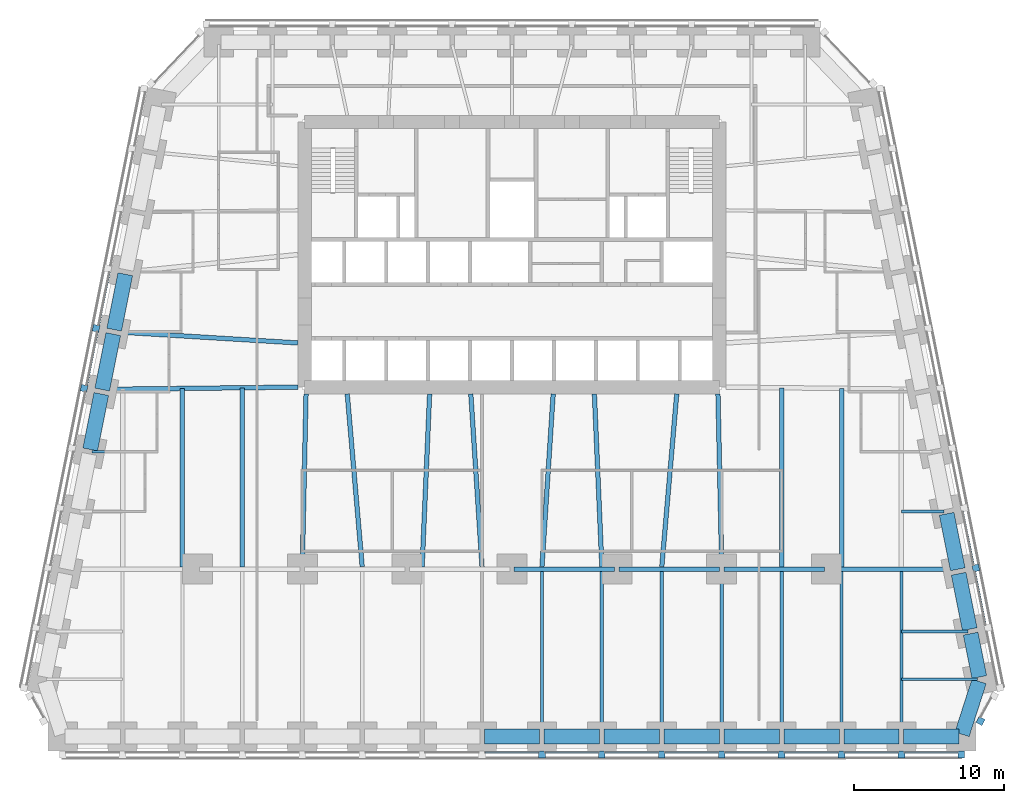
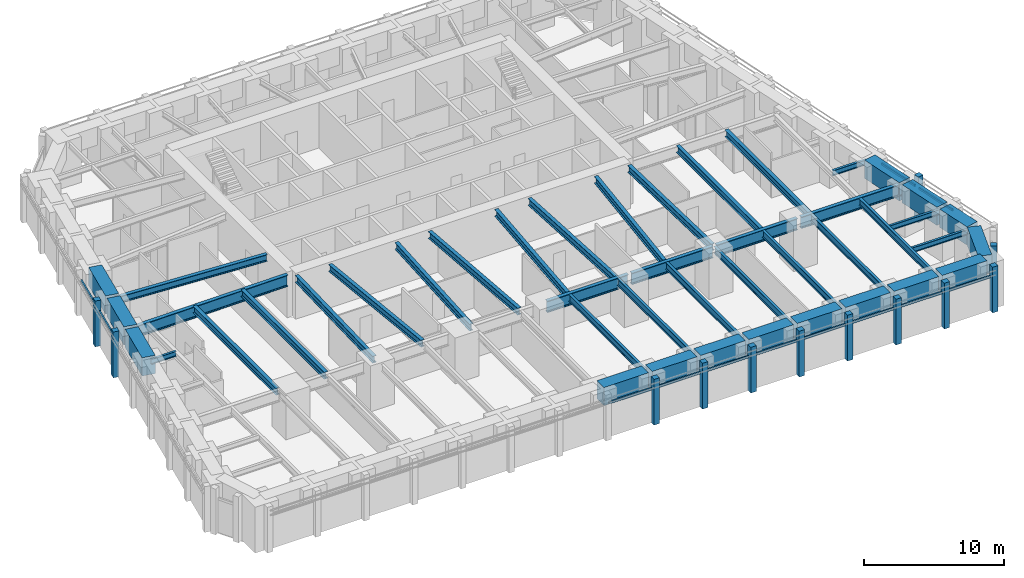
# One storey, part 2 of 10: 44 beams, 24 members, 4 elements without a shape of their own.
"""IFC4 building model written with IfcOpenShell, lengths in metres."""

from ifc_helpers import new_model, si_unit, direction, frame, origin, origin_2d, place, context, subcontext, project, spatial, rectangle, i_section, extrude, material, material_profile, profile_set, type_object, element, aggregate, save


model = new_model("IFC4")

# Units and contexts
model_context = context("Model", 3, precision=1e-05, world=origin(), true_north=direction((0.0, 1.0)))
body_context = subcontext(model_context, "Body", "Model", "MODEL_VIEW")
ifc_project = project(units=[si_unit("LENGTHUNIT", "METRE"), si_unit("AREAUNIT", "SQUARE_METRE"), si_unit("VOLUMEUNIT", "CUBIC_METRE"), si_unit("PLANEANGLEUNIT", "RADIAN"), si_unit("MASSUNIT", "GRAM", prefix="KILO")], contexts=[model_context])

# Site, building, storey
site_placement = place(None, origin())
site = spatial("IfcSite", under=ifc_project, at=site_placement, CompositionType="ELEMENT")
building_placement = place(site_placement, origin())
building = spatial("IfcBuilding", under=site, at=building_placement, Name="Isbrekke Arena Tower", CompositionType="ELEMENT")
storey_placement = place(building_placement, frame((0.0, 0.0, 64.0)))
storey = spatial("IfcBuildingStorey", under=building, at=storey_placement, Name="L13", CompositionType="ELEMENT", Elevation=64.0)

# Beams
ifc_material_1 = material(Name="Steel S355", Category="steel")
ifc_material_profile_1 = material_profile(ifc_material_1, i_section(OverallWidth=0.219970703125, OverallDepth=0.60009765625, WebThickness=0.011962890625, FlangeThickness=0.01904296875, FilletRadius=0.02392578125, at=origin_2d()), Name="IPE 600")
ifc_profile_set_1 = profile_set([ifc_material_profile_1], Name="Steel S355")
beam_type_1 = type_object("IfcBeamType", Name="B1 IPE 600", PredefinedType="BEAM", material=ifc_profile_set_1)
for number, where, z_axis, x_axis, name in (
    (1, (2.0, -17.02490234375, 3.550048828125), (0.0, 1.0, 0.0), (-1.0, 0.0, 0.0), "B1 beam S-S09 L13"),
    (2, (6.0, -17.02490234375, 3.550048828125), (0.0, 1.0, 0.0), (-1.0, 0.0, 0.0), "B1 beam S-S10 L13"),
    (3, (10.0, -17.02490234375, 3.550048828125), (0.0, 1.0, 0.0), (-1.0, 0.0, 0.0), "B1 beam S-S11 L13"),
):
    element("IfcBeam", number, at=place(storey_placement, frame(where, z_axis=z_axis, x_axis=x_axis)), inside=storey, type_object=beam_type_1, Name=name, PredefinedType="BEAM", context=body_context, shape_type="SweptSolid", body=[
        extrude(i_section(OverallWidth=0.219970703125, OverallDepth=0.60009765625, WebThickness=0.011962890625, FlangeThickness=0.01904296875, FilletRadius=0.02392578125, at=origin_2d()), origin(), (0.0, 0.0, 1.0), 10.8740234375),
    ])
beam_1_placement = place(storey_placement, frame((14.0, -17.02490234375, 3.550048828125), z_axis=(0.0, 1.0, 0.0), x_axis=(-1.0, 0.0, 0.0)))
element("IfcBeam", 4, at=beam_1_placement, inside=storey, type_object=beam_type_1, Name="B1 beam S-S12 L13", PredefinedType="BEAM", context=body_context, shape_type="SweptSolid", body=[
    extrude(i_section(OverallWidth=0.219970703125, OverallDepth=0.60009765625, WebThickness=0.011962890625, FlangeThickness=0.01904296875, FilletRadius=0.02392578125, at=origin_2d()), origin(), (0.0, 0.0, 1.0), 10.875),
])
for number, where, z_axis, x_axis, name in (
    (5, (18.0, -17.02490234375, 3.550048828125), (0.0, 1.0, 0.0), (-1.0, 0.0, 0.0), "B1 beam S-S13 L13"),
    (6, (22.0, -17.02490234375, 3.550048828125), (0.0, 1.0, 0.0), (-1.0, 0.0, 0.0), "B1 beam S-S14 L13"),
    (7, (26.0, -17.02490234375, 3.550048828125), (0.0, 1.0, 0.0), (-1.0, 0.0, 0.0), "B1 beam S-S15 L13"),
):
    element("IfcBeam", number, at=place(storey_placement, frame(where, z_axis=z_axis, x_axis=x_axis)), inside=storey, type_object=beam_type_1, Name=name, PredefinedType="BEAM", context=body_context, shape_type="SweptSolid", body=[
        extrude(i_section(OverallWidth=0.219970703125, OverallDepth=0.60009765625, WebThickness=0.011962890625, FlangeThickness=0.01904296875, FilletRadius=0.02392578125, at=origin_2d()), origin(), (0.0, 0.0, 1.0), 10.8740234375),
    ])
ifc_material_2 = material(Name="Steel S355", Category="steel")
ifc_material_profile_2 = material_profile(ifc_material_2, i_section(OverallWidth=0.18994140625, OverallDepth=0.449951171875, WebThickness=0.009521484375, FlangeThickness=0.0146484375, FilletRadius=0.02099609375, at=origin_2d()), Name="IPE 450")
ifc_profile_set_2 = profile_set([ifc_material_profile_2], Name="Steel S355")
beam_type_2 = type_object("IfcBeamType", Name="B2 IPE 450", PredefinedType="BEAM", material=ifc_profile_set_2)
beam_2_placement = place(storey_placement, frame((31.079345703125, -13.352783203125, 3.625), z_axis=(-1.0, 0.0, 0.0), x_axis=(0.0, -1.0, 0.0)))
element("IfcBeam", 8, at=beam_2_placement, inside=storey, type_object=beam_type_2, Name="B2 beam E-E01 L13", PredefinedType="BEAM", context=body_context, shape_type="SweptSolid", body=[
    extrude(i_section(OverallWidth=0.18994140625, OverallDepth=0.449951171875, WebThickness=0.009521484375, FlangeThickness=0.0146484375, FilletRadius=0.02099609375, at=origin_2d()), origin(), (0.0, 0.0, 1.0), 5.079345703125),
])
beam_3_placement = place(storey_placement, frame((30.44091796875, -10.161865234375, 3.625), z_axis=(-1.0, 0.0, 0.0), x_axis=(0.0, -1.0, 0.0)))
element("IfcBeam", 9, at=beam_3_placement, inside=storey, type_object=beam_type_2, Name="B2 beam E-E02 L13", PredefinedType="BEAM", context=body_context, shape_type="SweptSolid", body=[
    extrude(i_section(OverallWidth=0.18994140625, OverallDepth=0.449951171875, WebThickness=0.009521484375, FlangeThickness=0.0146484375, FilletRadius=0.02099609375, at=origin_2d()), origin(), (0.0, 0.0, 1.0), 4.44091796875),
])
beam_4_placement = place(storey_placement, frame((28.841064453125, -2.161865234375, 3.625), z_axis=(-1.0, 0.0, 0.0), x_axis=(0.0, -1.0, 0.0)))
element("IfcBeam", 10, at=beam_4_placement, inside=storey, type_object=beam_type_2, Name="B2 beam E-E04 L13", PredefinedType="BEAM", context=body_context, shape_type="SweptSolid", body=[
    extrude(i_section(OverallWidth=0.18994140625, OverallDepth=0.449951171875, WebThickness=0.009521484375, FlangeThickness=0.0146484375, FilletRadius=0.02099609375, at=origin_2d()), origin(), (0.0, 0.0, 1.0), 2.841064453125),
])
beam_5_placement = place(storey_placement, frame((-28.041015625, 1.838134765625, 3.625), z_axis=(1.0, 0.0, 0.0), x_axis=(0.0, 1.0, 0.0)))
element("IfcBeam", 11, at=beam_5_placement, inside=storey, type_object=beam_type_2, Name="B2 beam E-W07 L13", PredefinedType="BEAM", context=body_context, shape_type="SweptSolid", body=[
    extrude(i_section(OverallWidth=0.18994140625, OverallDepth=0.449951171875, WebThickness=0.009521484375, FlangeThickness=0.0146484375, FilletRadius=0.02099609375, at=origin_2d()), origin(), (0.0, 0.0, 1.0), 2.041015625),
])
ifc_material_3 = material(Name="Steel S355", Category="steel")
ifc_material_profile_3 = material_profile(ifc_material_3, i_section(OverallWidth=0.300048828125, OverallDepth=0.60009765625, WebThickness=0.015380859375, FlangeThickness=0.030029296875, FilletRadius=0.027099609375, at=origin_2d()), Name="HEB 600")
ifc_profile_set_3 = profile_set([ifc_material_profile_3], Name="Steel S355")
beam_type_3 = type_object("IfcBeamType", Name="B7 HEB 600", PredefinedType="BEAM", material=ifc_profile_set_3)
beam_6_placement = place(storey_placement, frame((-22.0, -5.84912109375, 3.550048828125), z_axis=(0.0, 1.0, 0.0), x_axis=(-1.0, 0.0, 0.0)))
element("IfcBeam", 12, at=beam_6_placement, inside=storey, type_object=beam_type_3, Name="B7 beam C-M02 L13", PredefinedType="BEAM", context=body_context, shape_type="SweptSolid", body=[
    extrude(i_section(OverallWidth=0.300048828125, OverallDepth=0.60009765625, WebThickness=0.015380859375, FlangeThickness=0.030029296875, FilletRadius=0.027099609375, at=origin_2d()), origin(), (0.0, 0.0, 1.0), 11.910888671875),
])
beam_7_placement = place(storey_placement, frame((-18.0, -5.84912109375, 3.550048828125), z_axis=(0.0, 1.0, 0.0), x_axis=(-1.0, 0.0, 0.0)))
element("IfcBeam", 13, at=beam_7_placement, inside=storey, type_object=beam_type_3, Name="B7 beam C-M03 L13", PredefinedType="BEAM", context=body_context, shape_type="SweptSolid", body=[
    extrude(i_section(OverallWidth=0.300048828125, OverallDepth=0.60009765625, WebThickness=0.015380859375, FlangeThickness=0.030029296875, FilletRadius=0.027099609375, at=origin_2d()), origin(), (0.0, 0.0, 1.0), 11.956787109375),
])
beam_8_placement = place(storey_placement, frame((-14.0, -5.8466796875, 3.550048828125), z_axis=(0.021646264273, 0.999765692171, 0.0), x_axis=(-0.999765692171, 0.021646264273, 0.0)))
element("IfcBeam", 14, at=beam_8_placement, inside=storey, type_object=beam_type_3, Name="B7 beam C-M04 L13", PredefinedType="BEAM", context=body_context, shape_type="SweptSolid", body=[
    extrude(i_section(OverallWidth=0.300048828125, OverallDepth=0.60009765625, WebThickness=0.015380859375, FlangeThickness=0.030029296875, FilletRadius=0.027099609375, at=origin_2d()), origin(), (0.0, 0.0, 1.0), 11.54931640625),
])
beam_9_placement = place(storey_placement, frame((-10.001220703125, -5.836181640625, 3.550048828125), z_axis=(-0.086255671377, 0.996273034442, 0.0), x_axis=(-0.996273034442, -0.086255671377, 0.0)))
element("IfcBeam", 15, at=beam_9_placement, inside=storey, type_object=beam_type_3, Name="B7 beam C-M05 L13", PredefinedType="BEAM", context=body_context, shape_type="SweptSolid", body=[
    extrude(i_section(OverallWidth=0.300048828125, OverallDepth=0.60009765625, WebThickness=0.015380859375, FlangeThickness=0.030029296875, FilletRadius=0.027099609375, at=origin_2d()), origin(), (0.0, 0.0, 1.0), 11.579345703125),
])
beam_10_placement = place(storey_placement, frame((-5.999755859375, -5.842529296875, 3.550048828125), z_axis=(0.04325656756, 0.99906399663, 0.0), x_axis=(-0.99906399663, 0.04325656756, 0.0)))
element("IfcBeam", 16, at=beam_10_placement, inside=storey, type_object=beam_type_3, Name="B7 beam C-M06 L13", PredefinedType="BEAM", context=body_context, shape_type="SweptSolid", body=[
    extrude(i_section(OverallWidth=0.300048828125, OverallDepth=0.60009765625, WebThickness=0.015380859375, FlangeThickness=0.030029296875, FilletRadius=0.027099609375, at=origin_2d()), origin(), (0.0, 0.0, 1.0), 11.55322265625),
])
for number, where, z_axis, x_axis, name in (
    (17, (-2.000732421875, -5.83935546875, 3.550048828125), (-0.064795318476, 0.997898575359, 0.0), (-0.997898575359, -0.064795318476, 0.0), "B7 beam C-M07 L13"),
    (18, (2.000732421875, -5.83935546875, 3.550048828125), (0.064795318476, 0.997898575359, 0.0), (-0.997898575359, 0.064795318476, 0.0), "B7 beam C-M08 L13"),
):
    element("IfcBeam", number, at=place(storey_placement, frame(where, z_axis=z_axis, x_axis=x_axis)), inside=storey, type_object=beam_type_3, Name=name, PredefinedType="BEAM", context=body_context, shape_type="SweptSolid", body=[
        extrude(i_section(OverallWidth=0.300048828125, OverallDepth=0.60009765625, WebThickness=0.015380859375, FlangeThickness=0.030029296875, FilletRadius=0.027099609375, at=origin_2d()), origin(), (0.0, 0.0, 1.0), 11.563720703125),
    ])
beam_11_placement = place(storey_placement, frame((5.999755859375, -5.842529296875, 3.550048828125), z_axis=(-0.04325656756, 0.99906399663, 0.0), x_axis=(-0.99906399663, -0.04325656756, 0.0)))
element("IfcBeam", 19, at=beam_11_placement, inside=storey, type_object=beam_type_3, Name="B7 beam C-M09 L13", PredefinedType="BEAM", context=body_context, shape_type="SweptSolid", body=[
    extrude(i_section(OverallWidth=0.300048828125, OverallDepth=0.60009765625, WebThickness=0.015380859375, FlangeThickness=0.030029296875, FilletRadius=0.027099609375, at=origin_2d()), origin(), (0.0, 0.0, 1.0), 11.55322265625),
])
beam_12_placement = place(storey_placement, frame((10.001220703125, -5.836181640625, 3.550048828125), z_axis=(0.086255671377, 0.996273034442, 0.0), x_axis=(-0.996273034442, 0.086255671377, 0.0)))
element("IfcBeam", 20, at=beam_12_placement, inside=storey, type_object=beam_type_3, Name="B7 beam C-M10 L13", PredefinedType="BEAM", context=body_context, shape_type="SweptSolid", body=[
    extrude(i_section(OverallWidth=0.300048828125, OverallDepth=0.60009765625, WebThickness=0.015380859375, FlangeThickness=0.030029296875, FilletRadius=0.027099609375, at=origin_2d()), origin(), (0.0, 0.0, 1.0), 11.579345703125),
])
beam_13_placement = place(storey_placement, frame((14.0, -5.8466796875, 3.550048828125), z_axis=(-0.021646264273, 0.999765692171, 0.0), x_axis=(-0.999765692171, -0.021646264273, 0.0)))
element("IfcBeam", 21, at=beam_13_placement, inside=storey, type_object=beam_type_3, Name="B7 beam C-M11 L13", PredefinedType="BEAM", context=body_context, shape_type="SweptSolid", body=[
    extrude(i_section(OverallWidth=0.300048828125, OverallDepth=0.60009765625, WebThickness=0.015380859375, FlangeThickness=0.030029296875, FilletRadius=0.027099609375, at=origin_2d()), origin(), (0.0, 0.0, 1.0), 11.54931640625),
])
beam_14_placement = place(storey_placement, frame((18.0, -5.84912109375, 3.550048828125), z_axis=(0.0, 1.0, 0.0), x_axis=(-1.0, 0.0, 0.0)))
element("IfcBeam", 22, at=beam_14_placement, inside=storey, type_object=beam_type_3, Name="B7 beam C-M12 L13", PredefinedType="BEAM", context=body_context, shape_type="SweptSolid", body=[
    extrude(i_section(OverallWidth=0.300048828125, OverallDepth=0.60009765625, WebThickness=0.015380859375, FlangeThickness=0.030029296875, FilletRadius=0.027099609375, at=origin_2d()), origin(), (0.0, 0.0, 1.0), 11.956787109375),
])
beam_15_placement = place(storey_placement, frame((22.0, -5.84912109375, 3.550048828125), z_axis=(0.0, 1.0, 0.0), x_axis=(-1.0, 0.0, 0.0)))
element("IfcBeam", 23, at=beam_15_placement, inside=storey, type_object=beam_type_3, Name="B7 beam C-M13 L13", PredefinedType="BEAM", context=body_context, shape_type="SweptSolid", body=[
    extrude(i_section(OverallWidth=0.300048828125, OverallDepth=0.60009765625, WebThickness=0.015380859375, FlangeThickness=0.030029296875, FilletRadius=0.027099609375, at=origin_2d()), origin(), (0.0, 0.0, 1.0), 11.910888671875),
])
beam_16_placement = place(storey_placement, frame((-26.431884765625, 9.837646484375, 3.550048828125), z_axis=(0.998157121592, -0.060682457223, 0.0), x_axis=(0.060682457223, 0.998157121592, 0.0)))
element("IfcBeam", 24, at=beam_16_placement, inside=storey, type_object=beam_type_3, Name="B7 beam E-W05 L13", PredefinedType="BEAM", context=body_context, shape_type="SweptSolid", body=[
    extrude(i_section(OverallWidth=0.300048828125, OverallDepth=0.60009765625, WebThickness=0.015380859375, FlangeThickness=0.030029296875, FilletRadius=0.027099609375, at=origin_2d()), origin(), (0.0, 0.0, 1.0), 12.154296875),
])

# Curtain wall, members
ifc_material_4 = material(Name="Glazed aluminium curtain wall", Category="aluminium")
curtain_wall_type = type_object("IfcCurtainWallType", Name="CWL TOWER CURTAIN WALL LOW ZONE", PredefinedType="USERDEFINED", material=ifc_material_4)
curtain_wall_1_placement = place(storey_placement, origin())
curtain_wall_1 = element("IfcCurtainWall", 25, at=curtain_wall_1_placement, inside=storey, type_object=curtain_wall_type, Name="CWL curtain wall L13-S", ObjectType="TOWER CURTAIN WALL LOW ZONE", PredefinedType="USERDEFINED")
ifc_material_5 = material(Name="Aluminium mullion, pale brick slip cladding", Category="masonry")
ifc_material_profile_4 = material_profile(ifc_material_5, rectangle(XDim=0.449951171875, YDim=0.449951171875, at=origin_2d()), Name="PIER 450X450")
ifc_profile_set_4 = profile_set([ifc_material_profile_4], Name="Aluminium mullion, pale brick slip cladding")
member_type_1 = type_object("IfcMemberType", Name="CWL-M PIER MULLION 450 x 450", PredefinedType="MULLION", material=ifc_profile_set_4)
member_1_placement = place(storey_placement, frame((2.0, -18.375, 0.0), z_axis=(0.0, 0.0, 1.0), x_axis=(1.0, 0.0, 0.0)))
member_1 = element("IfcMember", 26, at=member_1_placement, type_object=member_type_1, Name="CWL-M mullion 9", PredefinedType="MULLION", context=body_context, shape_type="SweptSolid", body=[
    extrude(rectangle(XDim=0.449951171875, YDim=0.449951171875, at=origin_2d()), origin(), (0.0, 0.0, 1.0), 4.0),
])
member_2_placement = place(storey_placement, frame((6.0, -18.375, 0.0), z_axis=(0.0, 0.0, 1.0), x_axis=(1.0, 0.0, 0.0)))
member_2 = element("IfcMember", 27, at=member_2_placement, type_object=member_type_1, Name="CWL-M mullion 10", PredefinedType="MULLION", context=body_context, shape_type="SweptSolid", body=[
    extrude(rectangle(XDim=0.449951171875, YDim=0.449951171875, at=origin_2d()), origin(), (0.0, 0.0, 1.0), 4.0),
])
member_3_placement = place(storey_placement, frame((10.0, -18.375, 0.0), z_axis=(0.0, 0.0, 1.0), x_axis=(1.0, 0.0, 0.0)))
member_3 = element("IfcMember", 28, at=member_3_placement, type_object=member_type_1, Name="CWL-M mullion 11", PredefinedType="MULLION", context=body_context, shape_type="SweptSolid", body=[
    extrude(rectangle(XDim=0.449951171875, YDim=0.449951171875, at=origin_2d()), origin(), (0.0, 0.0, 1.0), 4.0),
])
member_4_placement = place(storey_placement, frame((14.0, -18.375, 0.0), z_axis=(0.0, 0.0, 1.0), x_axis=(1.0, 0.0, 0.0)))
member_4 = element("IfcMember", 29, at=member_4_placement, type_object=member_type_1, Name="CWL-M mullion 12", PredefinedType="MULLION", context=body_context, shape_type="SweptSolid", body=[
    extrude(rectangle(XDim=0.449951171875, YDim=0.449951171875, at=origin_2d()), origin(), (0.0, 0.0, 1.0), 4.0),
])
member_5_placement = place(storey_placement, frame((18.0, -18.375, 0.0), z_axis=(0.0, 0.0, 1.0), x_axis=(1.0, 0.0, 0.0)))
member_5 = element("IfcMember", 30, at=member_5_placement, type_object=member_type_1, Name="CWL-M mullion 13", PredefinedType="MULLION", context=body_context, shape_type="SweptSolid", body=[
    extrude(rectangle(XDim=0.449951171875, YDim=0.449951171875, at=origin_2d()), origin(), (0.0, 0.0, 1.0), 4.0),
])
member_6_placement = place(storey_placement, frame((22.0, -18.375, 0.0), z_axis=(0.0, 0.0, 1.0), x_axis=(1.0, 0.0, 0.0)))
member_6 = element("IfcMember", 31, at=member_6_placement, type_object=member_type_1, Name="CWL-M mullion 14", PredefinedType="MULLION", context=body_context, shape_type="SweptSolid", body=[
    extrude(rectangle(XDim=0.449951171875, YDim=0.449951171875, at=origin_2d()), origin(), (0.0, 0.0, 1.0), 4.0),
])
member_7_placement = place(storey_placement, frame((26.0, -18.375, 0.0), z_axis=(0.0, 0.0, 1.0), x_axis=(1.0, 0.0, 0.0)))
member_7 = element("IfcMember", 32, at=member_7_placement, type_object=member_type_1, Name="CWL-M mullion 15", PredefinedType="MULLION", context=body_context, shape_type="SweptSolid", body=[
    extrude(rectangle(XDim=0.449951171875, YDim=0.449951171875, at=origin_2d()), origin(), (0.0, 0.0, 1.0), 4.0),
])
member_8_placement = place(storey_placement, frame((30.0, -18.375, 0.0), z_axis=(0.0, 0.0, 1.0), x_axis=(1.0, 0.0, 0.0)))
member_8 = element("IfcMember", 33, at=member_8_placement, type_object=member_type_1, Name="CWL-M mullion 16", PredefinedType="MULLION", context=body_context, shape_type="SweptSolid", body=[
    extrude(rectangle(XDim=0.449951171875, YDim=0.449951171875, at=origin_2d()), origin(), (0.0, 0.0, 1.0), 4.0),
])

# Curtain wall, member
curtain_wall_2_placement = place(storey_placement, origin())
curtain_wall_2 = element("IfcCurtainWall", 34, at=curtain_wall_2_placement, inside=storey, type_object=curtain_wall_type, Name="CWL curtain wall L13-SE", ObjectType="TOWER CURTAIN WALL LOW ZONE", PredefinedType="USERDEFINED")
member_9_placement = place(storey_placement, frame((31.2783203125, -16.142822265625, 0.0), z_axis=(0.0, 0.0, 1.0), x_axis=(0.481918749773, 0.876215908676, 0.0)))
member_9 = element("IfcMember", 35, at=member_9_placement, type_object=member_type_1, Name="CWL-M mullion 1", PredefinedType="MULLION", context=body_context, shape_type="SweptSolid", body=[
    extrude(rectangle(XDim=0.449951171875, YDim=0.449951171875, at=origin_2d()), origin(), (0.0, 0.0, 1.0), 4.0),
])
aggregate(curtain_wall_2, [member_9])

curtain_wall_3_placement = place(storey_placement, origin())
curtain_wall_3 = element("IfcCurtainWall", 36, at=curtain_wall_3_placement, inside=storey, type_object=curtain_wall_type, Name="CWL curtain wall L13-E", ObjectType="TOWER CURTAIN WALL LOW ZONE", PredefinedType="USERDEFINED")
member_10_placement = place(storey_placement, frame((30.9677734375, -5.926513671875, 0.0), z_axis=(0.0, 0.0, 1.0), x_axis=(-0.196116135138, 0.980580675691, 0.0)))
member_10 = element("IfcMember", 37, at=member_10_placement, type_object=member_type_1, Name="CWL-M mullion 3", PredefinedType="MULLION", context=body_context, shape_type="SweptSolid", body=[
    extrude(rectangle(XDim=0.449951171875, YDim=0.449951171875, at=origin_2d()), origin(), (0.0, 0.0, 1.0), 4.0),
])

# Curtain wall, members
curtain_wall_4_placement = place(storey_placement, origin())
curtain_wall_4 = element("IfcCurtainWall", 38, at=curtain_wall_4_placement, inside=storey, type_object=curtain_wall_type, Name="CWL curtain wall L13-W", ObjectType="TOWER CURTAIN WALL LOW ZONE", PredefinedType="USERDEFINED")
member_11_placement = place(storey_placement, frame((-27.767822265625, 10.073486328125, 0.0), z_axis=(0.0, 0.0, 1.0), x_axis=(-0.196116135138, -0.980580675691, 0.0)))
member_11 = element("IfcMember", 39, at=member_11_placement, type_object=member_type_1, Name="CWL-M mullion 5", PredefinedType="MULLION", context=body_context, shape_type="SweptSolid", body=[
    extrude(rectangle(XDim=0.449951171875, YDim=0.449951171875, at=origin_2d()), origin(), (0.0, 0.0, 1.0), 4.0),
])
member_12_placement = place(storey_placement, frame((-28.567626953125, 6.073486328125, 0.0), z_axis=(0.0, 0.0, 1.0), x_axis=(-0.196116135138, -0.980580675691, 0.0)))
member_12 = element("IfcMember", 40, at=member_12_placement, type_object=member_type_1, Name="CWL-M mullion 6", PredefinedType="MULLION", context=body_context, shape_type="SweptSolid", body=[
    extrude(rectangle(XDim=0.449951171875, YDim=0.449951171875, at=origin_2d()), origin(), (0.0, 0.0, 1.0), 4.0),
])

# Member
ifc_material_6 = material(Name="Aluminium transom", Category="aluminium")
ifc_material_profile_5 = material_profile(ifc_material_6, rectangle(XDim=0.1201171875, YDim=0.199951171875, at=origin_2d()), Name="TRANSOM 120X200")
ifc_profile_set_5 = profile_set([ifc_material_profile_5], Name="Aluminium transom")
member_type_2 = type_object("IfcMemberType", Name="CWL-T TRANSOM 120 x 200", PredefinedType="USERDEFINED", material=ifc_profile_set_5)
member_13_placement = place(storey_placement, frame((-1.77490234375, -18.25, 3.0), z_axis=(1.0, 0.0, 0.0), x_axis=(0.0, 1.0, 0.0)))
member_13 = element("IfcMember", 41, at=member_13_placement, type_object=member_type_2, Name="CWL-T transom 8", ObjectType="TRANSOM", PredefinedType="USERDEFINED", context=body_context, shape_type="SweptSolid", body=[
    extrude(rectangle(XDim=0.1201171875, YDim=0.199951171875, at=origin_2d()), origin(), (0.0, 0.0, 1.0), 3.5498046875),
])

member_14_placement = place(storey_placement, frame((2.22509765625, -18.25, 3.0), z_axis=(1.0, 0.0, 0.0), x_axis=(0.0, 1.0, 0.0)))
member_14 = element("IfcMember", 42, at=member_14_placement, type_object=member_type_2, Name="CWL-T transom 9", ObjectType="TRANSOM", PredefinedType="USERDEFINED", context=body_context, shape_type="SweptSolid", body=[
    extrude(rectangle(XDim=0.1201171875, YDim=0.199951171875, at=origin_2d()), origin(), (0.0, 0.0, 1.0), 3.5498046875),
])

member_15_placement = place(storey_placement, frame((6.22509765625, -18.25, 3.0), z_axis=(1.0, 0.0, 0.0), x_axis=(0.0, 1.0, 0.0)))
member_15 = element("IfcMember", 43, at=member_15_placement, type_object=member_type_2, Name="CWL-T transom 10", ObjectType="TRANSOM", PredefinedType="USERDEFINED", context=body_context, shape_type="SweptSolid", body=[
    extrude(rectangle(XDim=0.1201171875, YDim=0.199951171875, at=origin_2d()), origin(), (0.0, 0.0, 1.0), 3.5498046875),
])

member_16_placement = place(storey_placement, frame((10.22509765625, -18.25, 3.0), z_axis=(1.0, 0.0, 0.0), x_axis=(0.0, 1.0, 0.0)))
member_16 = element("IfcMember", 44, at=member_16_placement, type_object=member_type_2, Name="CWL-T transom 11", ObjectType="TRANSOM", PredefinedType="USERDEFINED", context=body_context, shape_type="SweptSolid", body=[
    extrude(rectangle(XDim=0.1201171875, YDim=0.199951171875, at=origin_2d()), origin(), (0.0, 0.0, 1.0), 3.5498046875),
])

member_17_placement = place(storey_placement, frame((14.22509765625, -18.25, 3.0), z_axis=(1.0, 0.0, 0.0), x_axis=(0.0, 1.0, 0.0)))
member_17 = element("IfcMember", 45, at=member_17_placement, type_object=member_type_2, Name="CWL-T transom 12", ObjectType="TRANSOM", PredefinedType="USERDEFINED", context=body_context, shape_type="SweptSolid", body=[
    extrude(rectangle(XDim=0.1201171875, YDim=0.199951171875, at=origin_2d()), origin(), (0.0, 0.0, 1.0), 3.5498046875),
])

member_18_placement = place(storey_placement, frame((18.22509765625, -18.25, 3.0), z_axis=(1.0, 0.0, 0.0), x_axis=(0.0, 1.0, 0.0)))
member_18 = element("IfcMember", 46, at=member_18_placement, type_object=member_type_2, Name="CWL-T transom 13", ObjectType="TRANSOM", PredefinedType="USERDEFINED", context=body_context, shape_type="SweptSolid", body=[
    extrude(rectangle(XDim=0.1201171875, YDim=0.199951171875, at=origin_2d()), origin(), (0.0, 0.0, 1.0), 3.5498046875),
])

member_19_placement = place(storey_placement, frame((22.22509765625, -18.25, 3.0), z_axis=(1.0, 0.0, 0.0), x_axis=(0.0, 1.0, 0.0)))
member_19 = element("IfcMember", 47, at=member_19_placement, type_object=member_type_2, Name="CWL-T transom 14", ObjectType="TRANSOM", PredefinedType="USERDEFINED", context=body_context, shape_type="SweptSolid", body=[
    extrude(rectangle(XDim=0.1201171875, YDim=0.199951171875, at=origin_2d()), origin(), (0.0, 0.0, 1.0), 3.5498046875),
])

member_20_placement = place(storey_placement, frame((26.22509765625, -18.25, 3.0), z_axis=(1.0, 0.0, 0.0), x_axis=(0.0, 1.0, 0.0)))
member_20 = element("IfcMember", 48, at=member_20_placement, type_object=member_type_2, Name="CWL-T transom 15", ObjectType="TRANSOM", PredefinedType="USERDEFINED", context=body_context, shape_type="SweptSolid", body=[
    extrude(rectangle(XDim=0.1201171875, YDim=0.199951171875, at=origin_2d()), origin(), (0.0, 0.0, 1.0), 3.5498046875),
])

aggregate(curtain_wall_1, [member_1, member_2, member_3, member_4, member_5, member_6, member_7, member_8, member_13, member_14, member_15, member_16, member_17, member_18, member_19, member_20])

member_21_placement = place(storey_placement, frame((31.60107421875, -9.730224609375, 3.0), z_axis=(-0.196167883278, 0.980570324643, 0.0), x_axis=(-0.980570324643, -0.196167883278, 0.0)))
member_21 = element("IfcMember", 49, at=member_21_placement, type_object=member_type_2, Name="CWL-T transom 2", ObjectType="TRANSOM", PredefinedType="USERDEFINED", context=body_context, shape_type="SweptSolid", body=[
    extrude(rectangle(XDim=0.1201171875, YDim=0.199951171875, at=origin_2d()), origin(), (0.0, 0.0, 1.0), 3.629150390625),
])

member_22_placement = place(storey_placement, frame((30.801025390625, -5.730224609375, 3.0), z_axis=(-0.196103197847, 0.98058326306, 0.0), x_axis=(-0.98058326306, -0.196103197847, 0.0)))
member_22 = element("IfcMember", 50, at=member_22_placement, type_object=member_type_2, Name="CWL-T transom 3", ObjectType="TRANSOM", PredefinedType="USERDEFINED", context=body_context, shape_type="SweptSolid", body=[
    extrude(rectangle(XDim=0.1201171875, YDim=0.199951171875, at=origin_2d()), origin(), (0.0, 0.0, 1.0), 3.629150390625),
])

aggregate(curtain_wall_3, [member_10, member_21, member_22])

member_23_placement = place(storey_placement, frame((-26.88916015625, 13.828369140625, 3.0), z_axis=(-0.196167883278, -0.980570324643, 0.0), x_axis=(0.980570324643, -0.196167883278, 0.0)))
member_23 = element("IfcMember", 51, at=member_23_placement, type_object=member_type_2, Name="CWL-T transom 4", ObjectType="TRANSOM", PredefinedType="USERDEFINED", context=body_context, shape_type="SweptSolid", body=[
    extrude(rectangle(XDim=0.1201171875, YDim=0.199951171875, at=origin_2d()), origin(), (0.0, 0.0, 1.0), 3.629150390625),
])

member_24_placement = place(storey_placement, frame((-27.689208984375, 9.828369140625, 3.0), z_axis=(-0.196167883278, -0.980570324643, 0.0), x_axis=(0.980570324643, -0.196167883278, 0.0)))
member_24 = element("IfcMember", 52, at=member_24_placement, type_object=member_type_2, Name="CWL-T transom 5", ObjectType="TRANSOM", PredefinedType="USERDEFINED", context=body_context, shape_type="SweptSolid", body=[
    extrude(rectangle(XDim=0.1201171875, YDim=0.199951171875, at=origin_2d()), origin(), (0.0, 0.0, 1.0), 3.629150390625),
])

aggregate(curtain_wall_4, [member_11, member_12, member_23, member_24])

# Beams
ifc_material_7 = material(Name="Steel S355", Category="steel")
ifc_material_profile_6 = material_profile(ifc_material_7, i_section(OverallWidth=0.302001953125, OverallDepth=1.008056640625, WebThickness=0.02099609375, FlangeThickness=0.0400390625, FilletRadius=0.030029296875, at=origin_2d()), Name="HEM 1000")
ifc_profile_set_6 = profile_set([ifc_material_profile_6], Name="Steel S355")
beam_type_4 = type_object("IfcBeamType", Name="G1 HEM 1000", PredefinedType="BEAM", material=ifc_profile_set_6)
for number, where, z_axis, x_axis, name in (
    (53, (0.14990234375, -6.0, 3.345947265625), (1.0, 0.0, 0.0), (0.0, 1.0, 0.0), "G1 beam G1-05 L13"),
    (54, (7.14990234375, -6.0, 3.345947265625), (1.0, 0.0, 0.0), (0.0, 1.0, 0.0), "G1 beam G1-06 L13"),
    (55, (14.14990234375, -6.0, 3.345947265625), (1.0, 0.0, 0.0), (0.0, 1.0, 0.0), "G1 beam G1-07 L13"),
):
    element("IfcBeam", number, at=place(storey_placement, frame(where, z_axis=z_axis, x_axis=x_axis)), inside=storey, type_object=beam_type_4, Name=name, PredefinedType="BEAM", context=body_context, shape_type="SweptSolid", body=[
        extrude(i_section(OverallWidth=0.302001953125, OverallDepth=1.008056640625, WebThickness=0.02099609375, FlangeThickness=0.0400390625, FilletRadius=0.030029296875, at=origin_2d()), origin(), (0.0, 0.0, 1.0), 6.7001953125),
    ])
beam_17_placement = place(storey_placement, frame((21.14990234375, -6.0, 3.345947265625), z_axis=(1.0, 0.0, 0.0), x_axis=(0.0, 1.0, 0.0)))
element("IfcBeam", 56, at=beam_17_placement, inside=storey, type_object=beam_type_4, Name="G1 beam G1-08 L13", PredefinedType="BEAM", context=body_context, shape_type="SweptSolid", body=[
    extrude(i_section(OverallWidth=0.302001953125, OverallDepth=1.008056640625, WebThickness=0.02099609375, FlangeThickness=0.0400390625, FilletRadius=0.030029296875, at=origin_2d()), origin(), (0.0, 0.0, 1.0), 8.64111328125),
])
ifc_material_8 = material(Name="Steel S355", Category="steel")
ifc_material_profile_7 = material_profile(ifc_material_8, i_section(OverallWidth=0.302001953125, OverallDepth=1.008056640625, WebThickness=0.02099609375, FlangeThickness=0.0400390625, FilletRadius=0.030029296875, at=origin_2d()), Name="HEM 1000")
ifc_profile_set_7 = profile_set([ifc_material_profile_7], Name="Steel S355")
beam_type_5 = type_object("IfcBeamType", Name="G2 HEM 1000", PredefinedType="BEAM", material=ifc_profile_set_7)
beam_18_placement = place(storey_placement, frame((-14.300048828125, 6.14990234375, 3.345947265625), z_axis=(-0.999934429634, -0.011451481699, 0.0), x_axis=(0.011451481699, -0.999934429634, 0.0)))
element("IfcBeam", 57, at=beam_18_placement, inside=storey, type_object=beam_type_5, Name="G2 beam G2-W L13", PredefinedType="BEAM", context=body_context, shape_type="SweptSolid", body=[
    extrude(i_section(OverallWidth=0.302001953125, OverallDepth=1.008056640625, WebThickness=0.02099609375, FlangeThickness=0.0400390625, FilletRadius=0.030029296875, at=origin_2d()), origin(), (0.0, 0.0, 1.0), 13.09033203125),
])
ifc_material_9 = material(Name="Concrete B90 (C90/105)", Category="concrete")
ifc_material_profile_8 = material_profile(ifc_material_9, rectangle(XDim=1.0, YDim=1.60009765625, at=origin_2d()), Name="RC 1000x1600")
ifc_profile_set_8 = profile_set([ifc_material_profile_8], Name="Concrete B90 (C90/105)")
beam_type_6 = type_object("IfcBeamType", Name="SB1 RC 1000 x 1600", PredefinedType="SPANDREL", material=ifc_profile_set_8)
for number, where, z_axis, x_axis, name in (
    (58, (-1.85009765625, -17.175048828125, 3.199951171875), (1.0, 0.0, 0.0), (0.0, 1.0, 0.0), "SB1 spandrel S08-S09 L13"),
    (59, (2.14990234375, -17.175048828125, 3.199951171875), (1.0, 0.0, 0.0), (0.0, 1.0, 0.0), "SB1 spandrel S09-S10 L13"),
    (60, (6.14990234375, -17.175048828125, 3.199951171875), (1.0, 0.0, 0.0), (0.0, 1.0, 0.0), "SB1 spandrel S10-S11 L13"),
    (61, (10.14990234375, -17.175048828125, 3.199951171875), (1.0, 0.0, 0.0), (0.0, 1.0, 0.0), "SB1 spandrel S11-S12 L13"),
    (62, (14.14990234375, -17.175048828125, 3.199951171875), (1.0, 0.0, 0.0), (0.0, 1.0, 0.0), "SB1 spandrel S12-S13 L13"),
    (63, (18.14990234375, -17.175048828125, 3.199951171875), (1.0, 0.0, 0.0), (0.0, 1.0, 0.0), "SB1 spandrel S13-S14 L13"),
    (64, (22.14990234375, -17.175048828125, 3.199951171875), (1.0, 0.0, 0.0), (0.0, 1.0, 0.0), "SB1 spandrel S14-S15 L13"),
    (65, (26.14990234375, -17.175048828125, 3.199951171875), (1.0, 0.0, 0.0), (0.0, 1.0, 0.0), "SB1 spandrel S15-S16 L13"),
):
    element("IfcBeam", number, at=place(storey_placement, frame(where, z_axis=z_axis, x_axis=x_axis)), inside=storey, type_object=beam_type_6, Name=name, PredefinedType="SPANDREL", context=body_context, shape_type="SweptSolid", body=[
        extrude(rectangle(XDim=1.0, YDim=1.60009765625, at=origin_2d()), origin(), (0.0, 0.0, 1.0), 3.7001953125),
    ])
beam_19_placement = place(storey_placement, frame((30.0458984375, -17.0322265625, 3.199951171875), z_axis=(0.306175101476, 0.951975213562, 0.0), x_axis=(-0.951975213562, 0.306175101476, 0.0)))
element("IfcBeam", 66, at=beam_19_placement, inside=storey, type_object=beam_type_6, Name="SB1 spandrel S16-E01 L13", PredefinedType="SPANDREL", context=body_context, shape_type="SweptSolid", body=[
    extrude(rectangle(XDim=1.0, YDim=1.60009765625, at=origin_2d()), origin(), (0.0, 0.0, 1.0), 3.715087890625),
])
beam_20_placement = place(storey_placement, frame((31.19970703125, -13.205810546875, 3.199951171875), z_axis=(-0.196100243168, 0.980583853951, 0.0), x_axis=(-0.980583853951, -0.196100243168, 0.0)))
element("IfcBeam", 67, at=beam_20_placement, inside=storey, type_object=beam_type_6, Name="SB1 spandrel E01-E02 L13", PredefinedType="SPANDREL", context=body_context, shape_type="SweptSolid", body=[
    extrude(rectangle(XDim=1.0, YDim=1.60009765625, at=origin_2d()), origin(), (0.0, 0.0, 1.0), 2.954345703125),
])
beam_21_placement = place(storey_placement, frame((30.5615234375, -10.0146484375, 3.199951171875), z_axis=(-0.1960664412, 0.980590613169, 0.0), x_axis=(-0.980590613169, -0.1960664412, 0.0)))
element("IfcBeam", 68, at=beam_21_placement, inside=storey, type_object=beam_type_6, Name="SB1 spandrel E02-E03 L13", PredefinedType="SPANDREL", context=body_context, shape_type="SweptSolid", body=[
    extrude(rectangle(XDim=1.0, YDim=1.60009765625, at=origin_2d()), origin(), (0.0, 0.0, 1.0), 3.779052734375),
])
beam_22_placement = place(storey_placement, frame((29.76171875, -6.0146484375, 3.199951171875), z_axis=(-0.196128558387, 0.980578190959, 0.0), x_axis=(-0.980578190959, -0.196128558387, 0.0)))
element("IfcBeam", 69, at=beam_22_placement, inside=storey, type_object=beam_type_6, Name="SB1 spandrel E03-E04 L13", PredefinedType="SPANDREL", context=body_context, shape_type="SweptSolid", body=[
    extrude(rectangle(XDim=1.0, YDim=1.60009765625, at=origin_2d()), origin(), (0.0, 0.0, 1.0), 3.779296875),
])
beam_23_placement = place(storey_placement, frame((-25.820556640625, 13.691162109375, 3.199951171875), z_axis=(-0.1960664412, -0.980590613169, 0.0), x_axis=(0.980590613169, -0.1960664412, 0.0)))
element("IfcBeam", 70, at=beam_23_placement, inside=storey, type_object=beam_type_6, Name="SB1 spandrel W04-W05 L13", PredefinedType="SPANDREL", context=body_context, shape_type="SweptSolid", body=[
    extrude(rectangle(XDim=1.0, YDim=1.60009765625, at=origin_2d()), origin(), (0.0, 0.0, 1.0), 3.779052734375),
])
for number, where, z_axis, x_axis, name in (
    (71, (-26.620361328125, 9.691162109375, 3.199951171875), (-0.196128558387, -0.980578190959, 0.0), (0.980578190959, -0.196128558387, 0.0), "SB1 spandrel W05-W06 L13"),
    (72, (-27.42041015625, 5.691162109375, 3.199951171875), (-0.196128558387, -0.980578190959, 0.0), (0.980578190959, -0.196128558387, 0.0), "SB1 spandrel W06-W07 L13"),
):
    element("IfcBeam", number, at=place(storey_placement, frame(where, z_axis=z_axis, x_axis=x_axis)), inside=storey, type_object=beam_type_6, Name=name, PredefinedType="SPANDREL", context=body_context, shape_type="SweptSolid", body=[
        extrude(rectangle(XDim=1.0, YDim=1.60009765625, at=origin_2d()), origin(), (0.0, 0.0, 1.0), 3.779296875),
    ])

save(model, "model.ifc")
